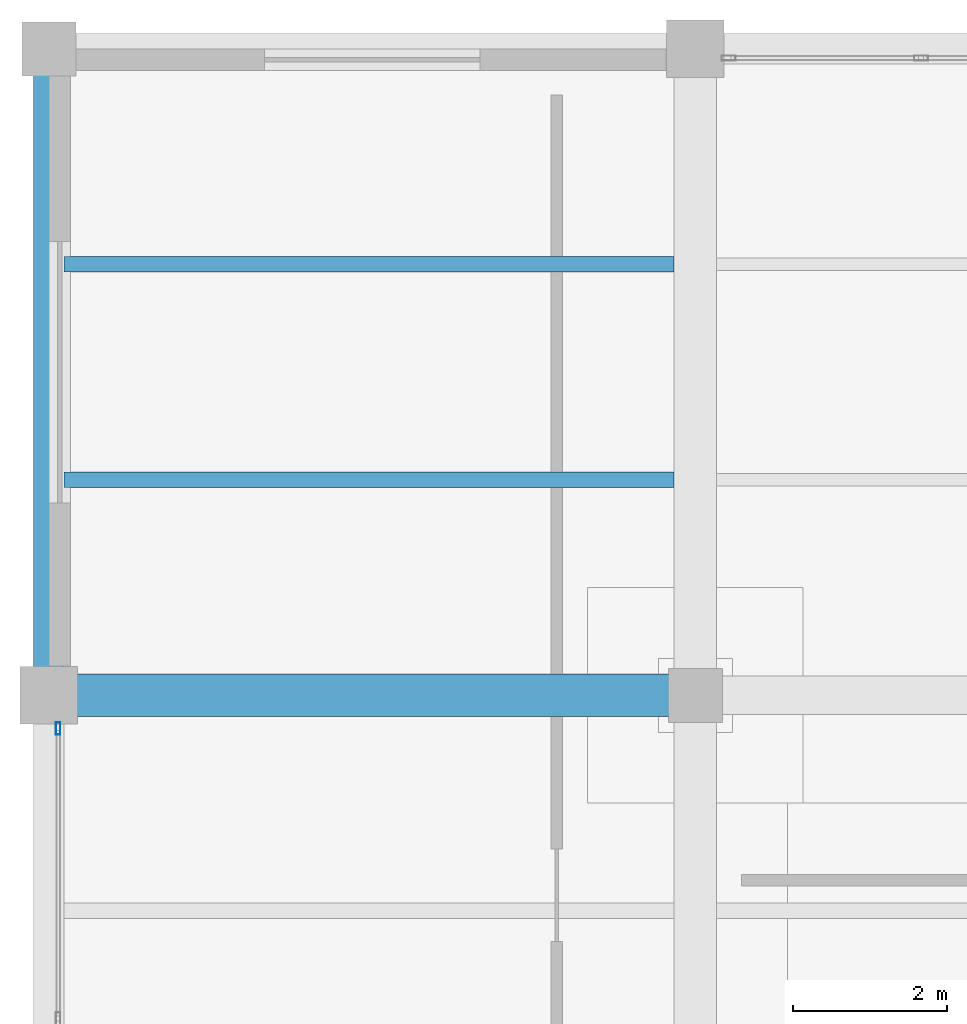
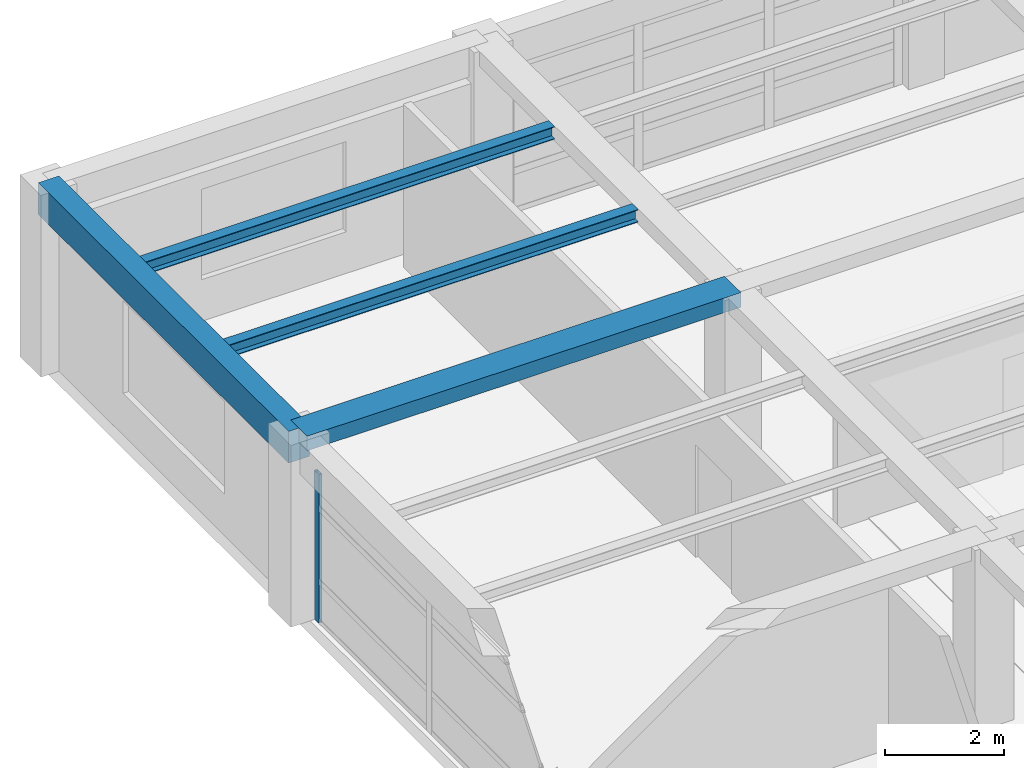
# One storey, part 8 of 26: 4 beams, 1 member, 1 element without a shape of its own.
"""IFC4 building model written with IfcOpenShell, lengths in metres."""

from ifc_helpers import new_model, si_unit, direction, frame, origin, origin_2d, place, context, subcontext, project, spatial, rectangle, hollow_rectangle, i_section, extrude, material, material_profile, profile_set, type_object, element, aggregate, save


model = new_model("IFC4")

# Units and contexts
model_context = context("Model", 3, precision=1e-05, world=origin(), true_north=direction((0.0, 1.0)))
body_context = subcontext(model_context, "Body", "Model", "MODEL_VIEW")
ifc_project = project(units=[si_unit("LENGTHUNIT", "METRE"), si_unit("AREAUNIT", "SQUARE_METRE"), si_unit("VOLUMEUNIT", "CUBIC_METRE"), si_unit("PLANEANGLEUNIT", "RADIAN"), si_unit("MASSUNIT", "GRAM", prefix="KILO")], contexts=[model_context])

# Site, building, storey
site_placement = place(None, origin())
site = spatial("IfcSite", under=ifc_project, at=site_placement, CompositionType="ELEMENT")
building_placement = place(site_placement, origin())
building = spatial("IfcBuilding", under=site, at=building_placement, Name="Almacenes y Pasaje Nevantli", CompositionType="ELEMENT")
storey_placement = place(building_placement, frame((0.0, 0.0, 38.699951171875)))
storey = spatial("IfcBuildingStorey", under=building, at=storey_placement, Name="L09", CompositionType="ELEMENT", Elevation=38.699951171875)

# Beams
ifc_material_1 = material(Name="Concrete C35/45", Category="concrete")
ifc_material_profile_1 = material_profile(ifc_material_1, rectangle(XDim=0.39990234375, YDim=0.64990234375, at=origin_2d()), Name="RC-BM-400x650")
ifc_profile_set_1 = profile_set([ifc_material_profile_1], Name="Concrete C35/45")
beam_type_1 = type_object("IfcBeamType", Name="BM-RC-400x650", PredefinedType="SPANDREL", material=ifc_profile_set_1)
beam_1_placement = place(storey_placement, frame((109.199951171875, 92.39990234375, 3.39501953125), z_axis=(0.0, 1.0, 0.0), x_axis=(-1.0, 0.0, 0.0)))
element("IfcBeam", 1, at=beam_1_placement, inside=storey, type_object=beam_type_1, Name="L09 North-South Reinforced Concrete Beam #3774", PredefinedType="SPANDREL", context=body_context, shape_type="SweptSolid", body=[
    extrude(rectangle(XDim=0.39990234375, YDim=0.64990234375, at=origin_2d()), origin(), (0.0, 0.0, 1.0), 8.400146484375),
])
ifc_material_2 = material(Name="Concrete C35/45", Category="concrete")
ifc_material_profile_2 = material_profile(ifc_material_2, rectangle(XDim=0.550048828125, YDim=0.300048828125, at=origin_2d()), Name="RC-BM-550x300")
ifc_profile_set_2 = profile_set([ifc_material_profile_2], Name="Concrete C35/45")
beam_type_2 = type_object("IfcBeamType", Name="BM-RC-550x300", PredefinedType="BEAM", material=ifc_profile_set_2)
beam_2_placement = place(storey_placement, frame((109.199951171875, 92.39990234375, 3.570068359375), z_axis=(1.0, 0.0, 0.0), x_axis=(0.0, 1.0, 0.0)))
element("IfcBeam", 2, at=beam_2_placement, inside=storey, type_object=beam_type_2, Name="L09 East-West Reinforced Concrete Beam #3759", PredefinedType="BEAM", context=body_context, shape_type="SweptSolid", body=[
    extrude(rectangle(XDim=0.550048828125, YDim=0.300048828125, at=origin_2d()), origin(), (0.0, 0.0, 1.0), 8.400146484375),
])
ifc_material_3 = material(Name="Steel ASTM A992", Category="steel")
ifc_material_profile_3 = material_profile(ifc_material_3, i_section(OverallWidth=0.2041015625, OverallDepth=0.258056640625, WebThickness=0.008056640625, FlangeThickness=0.013427734375, at=origin_2d()), Name="IR 254x58.0")
ifc_profile_set_3 = profile_set([ifc_material_profile_3], Name="Steel ASTM A992")
beam_type_3 = type_object("IfcBeamType", Name="BM-STL-IR-254x58p0", PredefinedType="JOIST", material=ifc_profile_set_3)
for number, where, z_axis, x_axis, name in (
    (3, (109.39990234375, 95.199951171875, 3.5830078125), (1.0, 0.0, 0.0), (0.0, 1.0, 0.0), "L09 Secondary Steel Floor Joist #1461"),
    (4, (109.39990234375, 98.0, 3.5830078125), (1.0, 0.0, 0.0), (0.0, 1.0, 0.0), "L09 Secondary Steel Floor Joist #1462"),
):
    element("IfcBeam", number, at=place(storey_placement, frame(where, z_axis=z_axis, x_axis=x_axis)), inside=storey, type_object=beam_type_3, Name=name, PredefinedType="JOIST", context=body_context, shape_type="SweptSolid", body=[
        extrude(i_section(OverallWidth=0.2041015625, OverallDepth=0.258056640625, WebThickness=0.008056640625, FlangeThickness=0.013427734375, at=origin_2d()), origin(), (0.0, 0.0, 1.0), 7.925048828125),
    ])

# Curtain wall, member
ifc_material_4 = material(Name="Thermally Broken Aluminium and Low-E Glass", Category="aluminium")
curtain_wall_type = type_object("IfcCurtainWallType", Name="CW-UNIT-TOWER", PredefinedType="USERDEFINED", material=ifc_material_4)
curtain_wall_placement = place(storey_placement, origin())
curtain_wall = element("IfcCurtainWall", 5, at=curtain_wall_placement, inside=storey, type_object=curtain_wall_type, Name="L09 Tower West Curtain Wall Bay 11", ObjectType="UNITIZED CURTAIN WALL", PredefinedType="USERDEFINED")
ifc_material_5 = material(Name="Thermally Broken Anodized Aluminium", Category="aluminium")
ifc_material_profile_4 = material_profile(ifc_material_5, hollow_rectangle(XDim=0.06005859375, YDim=0.159912109375, WallThickness=0.00390625, at=origin_2d()), Name="ALU-MUL-60x160")
ifc_profile_set_4 = profile_set([ifc_material_profile_4], Name="Thermally Broken Anodized Aluminium")
member_type = type_object("IfcMemberType", Name="CW-MUL-180", PredefinedType="MULLION", material=ifc_profile_set_4)
member_placement = place(storey_placement, frame((109.320068359375, 91.969970703125, 0.0), z_axis=(0.0, 0.0, 1.0), x_axis=(-1.0, 0.0, 0.0)))
member = element("IfcMember", 6, at=member_placement, type_object=member_type, Name="CW-L09-139 mullion 3", PredefinedType="MULLION", context=body_context, shape_type="SweptSolid", body=[
    extrude(hollow_rectangle(XDim=0.06005859375, YDim=0.159912109375, WallThickness=0.00390625, at=origin_2d()), origin(), (0.0, 0.0, 1.0), 3.0400390625),
])
aggregate(curtain_wall, [member])

save(model, "model.ifc")
